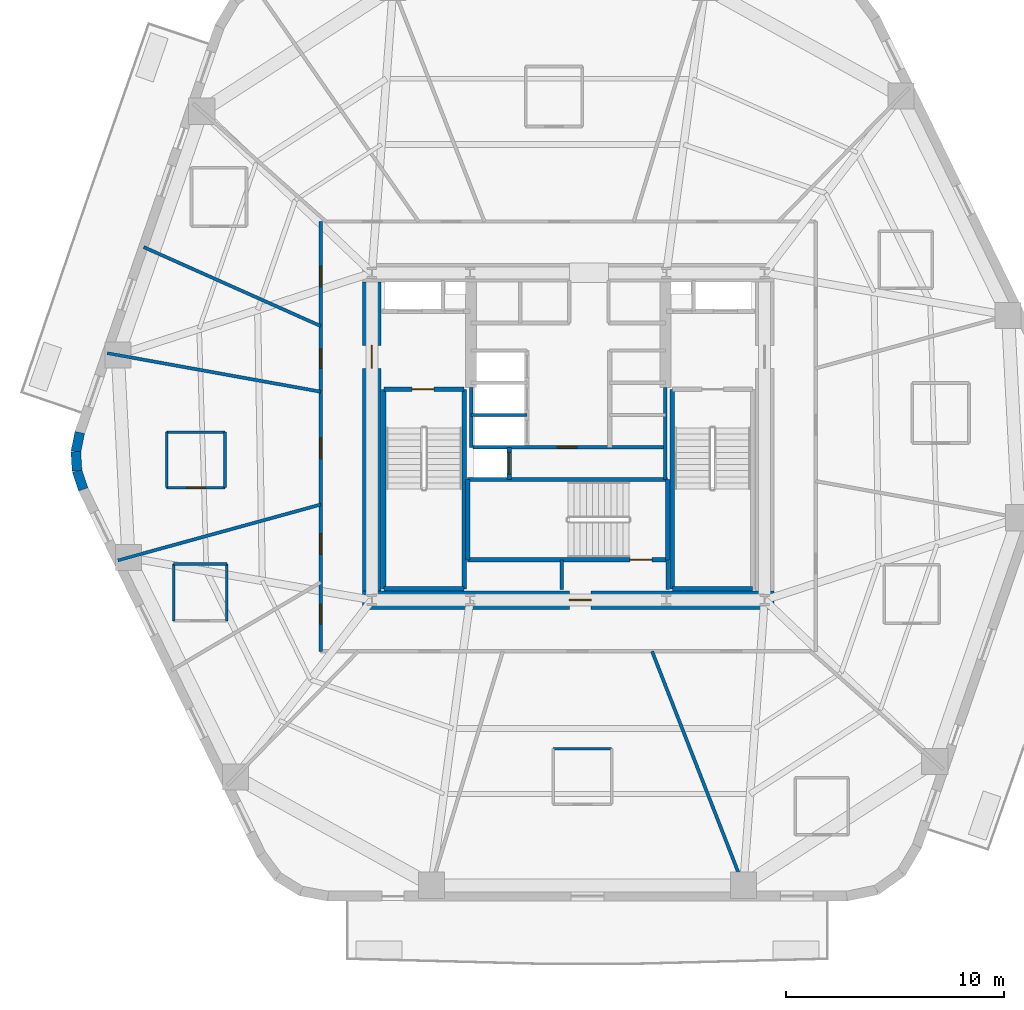
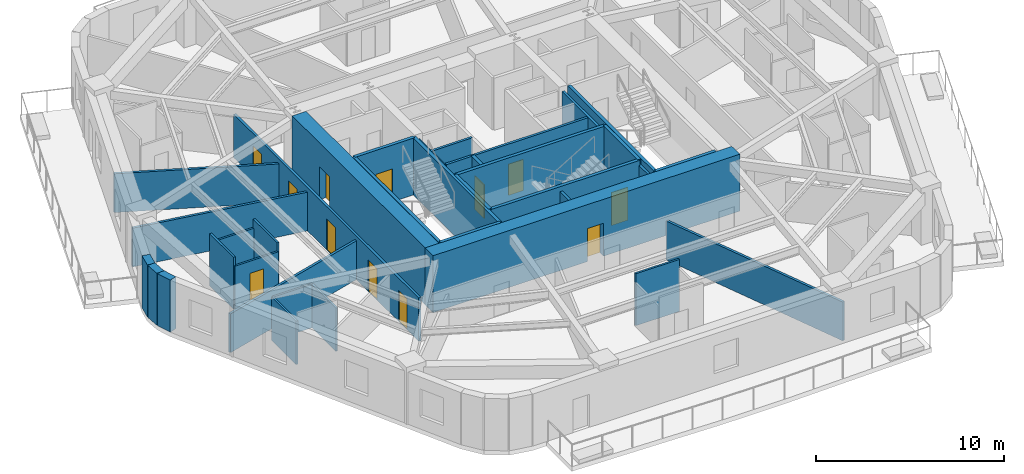
# One storey, part 3 of 8: 35 walls, 12 doors, 12 openings.
"""IFC4 building model written with IfcOpenShell, lengths in metres."""

from ifc_helpers import new_model, si_unit, direction, frame, frame_2d, origin, place, context, subcontext, project, spatial, rectangle, extrude, material, layer, layer_set, type_object, element, fill, save


model = new_model("IFC4")

# Units and contexts
model_context = context("Model", 3, precision=1e-05, world=origin(), true_north=direction((0.0, 1.0)))
body_context = subcontext(model_context, "Body", "Model", "MODEL_VIEW")
ifc_project = project(units=[si_unit("LENGTHUNIT", "METRE"), si_unit("AREAUNIT", "SQUARE_METRE"), si_unit("VOLUMEUNIT", "CUBIC_METRE"), si_unit("PLANEANGLEUNIT", "RADIAN"), si_unit("MASSUNIT", "GRAM", prefix="KILO")], contexts=[model_context])

# Site, building, storey
site_placement = place(None, origin())
site = spatial("IfcSite", under=ifc_project, at=site_placement, CompositionType="ELEMENT")
building_placement = place(site_placement, origin())
building = spatial("IfcBuilding", under=site, at=building_placement, Name="Kilnhurst Terrace Hotel", CompositionType="ELEMENT")
storey_placement = place(building_placement, frame((0.0, 0.0, 135.800048828125)))
storey = spatial("IfcBuildingStorey", under=building, at=storey_placement, Name="L33", CompositionType="ELEMENT", Elevation=135.800048828125)

# Walls
ifc_material_1 = material(Name="Precast concrete C40/50", Category="concrete")
ifc_layer_1 = layer(ifc_material_1, 0.449951171875, Name="Precast concrete C40/50")
ifc_layer_set_1 = layer_set([ifc_layer_1], Name="Precast concrete C40/50")
wall_type_1 = type_object("IfcWallType", Name="WL-BRK-450", PredefinedType="SOLIDWALL", material=ifc_layer_set_1)
wall_1_placement = place(storey_placement, frame((-22.39697265625, 0.17919921875, 0.0), z_axis=(0.0, 0.0, 1.0), x_axis=(-0.199313589404, -0.979935759669, 0.0)))
element("IfcWall", 1, at=wall_1_placement, inside=storey, type_object=wall_type_1, Name="L33 Rounded Corner Brick Wall C6.1", PredefinedType="SOLIDWALL", context=body_context, shape_type="SweptSolid", body=[
    extrude(rectangle(XDim=0.8955078125, YDim=0.449951171875, at=frame_2d((0.44775390625, 0.0))), origin(), (0.0, 0.0, 1.0), 3.3798828125),
])
wall_2_placement = place(storey_placement, frame((-22.575439453125, -0.6982421875, 0.0), z_axis=(0.0, 0.0, 1.0), x_axis=(0.060980441946, -0.998138961117, 0.0)))
element("IfcWall", 2, at=wall_2_placement, inside=storey, type_object=wall_type_1, Name="L33 Rounded Corner Brick Wall C6.2", PredefinedType="SOLIDWALL", context=body_context, shape_type="SweptSolid", body=[
    extrude(rectangle(XDim=0.880859375, YDim=0.449951171875, at=frame_2d((0.4404296875, 0.0))), origin(), (0.0, 0.0, 1.0), 3.3798828125),
])
wall_3_placement = place(storey_placement, frame((-22.521728515625, -1.577392578125, 0.0), z_axis=(0.0, 0.0, 1.0), x_axis=(0.317372694837, -0.948300887151, 0.0)))
element("IfcWall", 3, at=wall_3_placement, inside=storey, type_object=wall_type_1, Name="L33 Rounded Corner Brick Wall C6.3", PredefinedType="SOLIDWALL", context=body_context, shape_type="SweptSolid", body=[
    extrude(rectangle(XDim=0.8955078125, YDim=0.449951171875, at=frame_2d((0.44775390625, 0.0))), origin(), (0.0, 0.0, 1.0), 3.3798828125),
])

# Wall, openings, doors
ifc_material_2 = material(Name="Acoustic Double-Gypsum Corridor Partition Assembly")
ifc_layer_2 = layer(ifc_material_2, 0.14990234375, Name="Acoustic Double-Gypsum Corridor Partition Assembly")
ifc_layer_set_2 = layer_set([ifc_layer_2], Name="Acoustic Double-Gypsum Corridor Partition Assembly")
wall_type_2 = type_object("IfcWallType", Name="WL-COR-150", PredefinedType="PARTITIONING", material=ifc_layer_set_2)
wall_4_placement = place(storey_placement, frame((-11.35009765625, -9.85009765625, 0.0), z_axis=(0.0, 0.0, 1.0), x_axis=(0.0, 1.0, 0.0)))
wall_4 = element("IfcWall", 4, at=wall_4_placement, inside=storey, type_object=wall_type_2, Name="L33 Interior Wall WL-L33-COR-01", PredefinedType="PARTITIONING", context=body_context, shape_type="SweptSolid", body=[
    extrude(rectangle(XDim=19.7001953125, YDim=0.14990234375, at=frame_2d((9.85009765625, 0.0))), origin(), (0.0, 0.0, 1.0), 2.820068359375),
])
opening_1_placement = place(wall_4_placement, frame((16.7109375, 0.0, 0.0)))
opening_1 = element("IfcOpeningElement", 5, at=opening_1_placement, cuts=wall_4, Name="Opening D-60B", PredefinedType="OPENING", context=body_context, shape_type="SweptSolid", body=[
    extrude(rectangle(XDim=0.949951171875, YDim=2.030029296875, at=frame_2d((0.47509765625, 1.01513671875))), frame((0.0, 0.0849609375, 0.0), z_axis=(0.0, -1.0, 0.0), x_axis=(1.0, 0.0, 0.0)), (0.0, 0.0, 1.0), 0.169921875),
])
opening_2_placement = place(wall_4_placement, frame((12.968017578125, 0.0, 0.0)))
opening_2 = element("IfcOpeningElement", 6, at=opening_2_placement, cuts=wall_4, Name="Opening D-60C", PredefinedType="OPENING", context=body_context, shape_type="SweptSolid", body=[
    extrude(rectangle(XDim=0.89990234375, YDim=2.030029296875, at=frame_2d((0.449951171875, 1.01513671875))), frame((0.0, 0.0849609375, 0.0), z_axis=(0.0, -1.0, 0.0), x_axis=(1.0, 0.0, 0.0)), (0.0, 0.0, 1.0), 0.169921875),
])
opening_3_placement = place(wall_4_placement, frame((8.8359375, 0.0, 0.0)))
opening_3 = element("IfcOpeningElement", 7, at=opening_3_placement, cuts=wall_4, Name="Opening D-60B", PredefinedType="OPENING", context=body_context, shape_type="SweptSolid", body=[
    extrude(rectangle(XDim=0.949951171875, YDim=2.030029296875, at=frame_2d((0.47509765625, 1.01513671875))), frame((0.0, 0.0849609375, 0.0), z_axis=(0.0, -1.0, 0.0), x_axis=(1.0, 0.0, 0.0)), (0.0, 0.0, 1.0), 0.169921875),
])
opening_4_placement = place(wall_4_placement, frame((4.447998046875, 0.0, 0.0)))
opening_4 = element("IfcOpeningElement", 8, at=opening_4_placement, cuts=wall_4, Name="Opening D-60B", PredefinedType="OPENING", context=body_context, shape_type="SweptSolid", body=[
    extrude(rectangle(XDim=0.949951171875, YDim=2.030029296875, at=frame_2d((0.47509765625, 1.01513671875))), frame((0.0, 0.0849609375, 0.0), z_axis=(0.0, -1.0, 0.0), x_axis=(1.0, 0.0, 0.0)), (0.0, 0.0, 1.0), 0.169921875),
])
opening_5_placement = place(wall_4_placement, frame((1.2490234375, 0.0, 0.0)))
opening_5 = element("IfcOpeningElement", 9, at=opening_5_placement, cuts=wall_4, Name="Opening D-60C", PredefinedType="OPENING", context=body_context, shape_type="SweptSolid", body=[
    extrude(rectangle(XDim=0.89990234375, YDim=2.030029296875, at=frame_2d((0.449951171875, 1.01513671875))), frame((0.0, 0.0849609375, 0.0), z_axis=(0.0, -1.0, 0.0), x_axis=(1.0, 0.0, 0.0)), (0.0, 0.0, 1.0), 0.169921875),
])
ifc_material_3 = material(Name="Painted Solid-Core Service Fire Door")
door_type_1 = type_object("IfcDoorType", Name="DR-FD60-900", OperationType="NOTDEFINED", PredefinedType="DOOR", material=ifc_material_3)
door_1_placement = place(opening_2_placement, origin())
door_1 = element("IfcDoor", 10, at=door_1_placement, inside=storey, type_object=door_type_1, Name="L33 Botanical Reading Lounge Door 7", OperationType="SINGLE_SWING_LEFT", OverallHeight=2.030029296875, OverallWidth=0.89990234375, PredefinedType="DOOR", context=body_context, shape_type="SweptSolid", body=[
    extrude(rectangle(XDim=0.89990234375, YDim=2.030029296875, at=frame_2d((0.449951171875, 1.01513671875))), frame((0.0, 0.02490234375, 0.0), z_axis=(0.0, -1.0, 0.0), x_axis=(1.0, 0.0, 0.0)), (0.0, 0.0, 1.0), 0.050048828125),
])
fill(opening_2, door_1)
door_2_placement = place(opening_5_placement, origin())
door_2 = element("IfcDoor", 11, at=door_2_placement, inside=storey, type_object=door_type_1, Name="L33 Private Meeting Salon Door 10", OperationType="SINGLE_SWING_RIGHT", OverallHeight=2.030029296875, OverallWidth=0.89990234375, PredefinedType="DOOR", context=body_context, shape_type="SweptSolid", body=[
    extrude(rectangle(XDim=0.89990234375, YDim=2.030029296875, at=frame_2d((0.449951171875, 1.01513671875))), frame((0.0, 0.02490234375, 0.0), z_axis=(0.0, -1.0, 0.0), x_axis=(1.0, 0.0, 0.0)), (0.0, 0.0, 1.0), 0.050048828125),
])
fill(opening_5, door_2)
ifc_material_4 = material(Name="Acoustic Walnut Veneer Solid-Core Fire Door")
door_type_2 = type_object("IfcDoorType", Name="DR-FD60-950", OperationType="NOTDEFINED", PredefinedType="DOOR", material=ifc_material_4)
door_3_placement = place(opening_1_placement, origin())
door_3 = element("IfcDoor", 12, at=door_3_placement, inside=storey, type_object=door_type_2, Name="L33 Guest Room Entry Door 6", OperationType="SINGLE_SWING_RIGHT", OverallHeight=2.030029296875, OverallWidth=0.949951171875, PredefinedType="DOOR", context=body_context, shape_type="SweptSolid", body=[
    extrude(rectangle(XDim=0.949951171875, YDim=2.030029296875, at=frame_2d((0.47509765625, 1.01513671875))), frame((0.0, 0.02490234375, 0.0), z_axis=(0.0, -1.0, 0.0), x_axis=(1.0, 0.0, 0.0)), (0.0, 0.0, 1.0), 0.050048828125),
])
fill(opening_1, door_3)
door_4_placement = place(opening_3_placement, origin())
door_4 = element("IfcDoor", 13, at=door_4_placement, inside=storey, type_object=door_type_2, Name="L33 Executive Suite Entry Door 8", OperationType="SINGLE_SWING_RIGHT", OverallHeight=2.030029296875, OverallWidth=0.949951171875, PredefinedType="DOOR", context=body_context, shape_type="SweptSolid", body=[
    extrude(rectangle(XDim=0.949951171875, YDim=2.030029296875, at=frame_2d((0.47509765625, 1.01513671875))), frame((0.0, 0.02490234375, 0.0), z_axis=(0.0, -1.0, 0.0), x_axis=(1.0, 0.0, 0.0)), (0.0, 0.0, 1.0), 0.050048828125),
])
fill(opening_3, door_4)
door_5_placement = place(opening_4_placement, origin())
door_5 = element("IfcDoor", 14, at=door_5_placement, inside=storey, type_object=door_type_2, Name="L33 Guest Room Entry Door 9", OperationType="SINGLE_SWING_LEFT", OverallHeight=2.030029296875, OverallWidth=0.949951171875, PredefinedType="DOOR", context=body_context, shape_type="SweptSolid", body=[
    extrude(rectangle(XDim=0.949951171875, YDim=2.030029296875, at=frame_2d((0.47509765625, 1.01513671875))), frame((0.0, 0.02490234375, 0.0), z_axis=(0.0, -1.0, 0.0), x_axis=(1.0, 0.0, 0.0)), (0.0, 0.0, 1.0), 0.050048828125),
])
fill(opening_4, door_5)

# Wall, opening, door
ifc_material_5 = material(Name="Concrete C80/95", Category="concrete")
ifc_layer_3 = layer(ifc_material_5, 0.85009765625, Name="Concrete C80/95")
ifc_layer_set_3 = layer_set([ifc_layer_3], Name="Concrete C80/95")
wall_type_3 = type_object("IfcWallType", Name="WL-CORE-850", PredefinedType="SHEAR", material=ifc_layer_set_3)
wall_5_placement = place(storey_placement, frame((-9.425048828125, -7.5, 0.0), z_axis=(0.0, 0.0, 1.0), x_axis=(1.0, 0.0, 0.0)))
wall_5 = element("IfcWall", 15, at=wall_5_placement, inside=storey, type_object=wall_type_3, Name="L33 Core South Shear Wall", PredefinedType="SHEAR", context=body_context, shape_type="SweptSolid", body=[
    extrude(rectangle(XDim=18.85009765625, YDim=0.85009765625, at=frame_2d((9.425048828125, 0.0))), origin(), (0.0, 0.0, 1.0), 3.699951171875),
])
opening_6_placement = place(wall_5_placement, frame((9.47509765625, 0.0, 0.0)))
opening_6 = element("IfcOpeningElement", 16, at=opening_6_placement, cuts=wall_5, Name="Opening D-90B", PredefinedType="OPENING", context=body_context, shape_type="SweptSolid", body=[
    extrude(rectangle(XDim=1.0, YDim=2.14990234375, at=frame_2d((0.5, 1.074951171875))), frame((0.0, 0.43505859375, 0.0), z_axis=(0.0, -1.0, 0.0), x_axis=(1.0, 0.0, 0.0)), (0.0, 0.0, 1.0), 0.8701171875),
])
ifc_material_6 = material(Name="Painted Hollow Metal Steel ASTM A36 Fire Door", Category="steel")
door_type_3 = type_object("IfcDoorType", Name="DR-FD90-1000", OperationType="NOTDEFINED", PredefinedType="DOOR", material=ifc_material_6)
door_6_placement = place(opening_6_placement, origin())
door_6 = element("IfcDoor", 17, at=door_6_placement, inside=storey, type_object=door_type_3, Name="L33 Stair ST-3 Corridor Door", OperationType="SINGLE_SWING_RIGHT", OverallHeight=2.14990234375, OverallWidth=1.0, PredefinedType="DOOR", context=body_context, shape_type="SweptSolid", body=[
    extrude(rectangle(XDim=1.0, YDim=2.14990234375, at=frame_2d((0.5, 1.074951171875))), frame((0.0, 0.02490234375, 0.0), z_axis=(0.0, -1.0, 0.0), x_axis=(1.0, 0.0, 0.0)), (0.0, 0.0, 1.0), 0.050048828125),
])
fill(opening_6, door_6)

wall_6_placement = place(storey_placement, frame((-9.0, -7.074951171875, 0.0), z_axis=(0.0, 0.0, 1.0), x_axis=(0.0, 1.0, 0.0)))
wall_6 = element("IfcWall", 18, at=wall_6_placement, inside=storey, type_object=wall_type_3, Name="L33 Core West Shear Wall", PredefinedType="SHEAR", context=body_context, shape_type="SweptSolid", body=[
    extrude(rectangle(XDim=14.14990234375, YDim=0.85009765625, at=frame_2d((7.074951171875, 0.0))), origin(), (0.0, 0.0, 1.0), 3.699951171875),
])
opening_7_placement = place(wall_6_placement, frame((10.199951171875, 0.0, 0.0)))
opening_7 = element("IfcOpeningElement", 19, at=opening_7_placement, cuts=wall_6, Name="Opening D-90A", PredefinedType="OPENING", context=body_context, shape_type="SweptSolid", body=[
    extrude(rectangle(XDim=1.050048828125, YDim=2.14990234375, at=frame_2d((0.52490234375, 1.074951171875))), frame((0.0, 0.43505859375, 0.0), z_axis=(0.0, -1.0, 0.0), x_axis=(1.0, 0.0, 0.0)), (0.0, 0.0, 1.0), 0.8701171875),
])
door_type_4 = type_object("IfcDoorType", Name="DR-FD90-1050", OperationType="NOTDEFINED", PredefinedType="DOOR", material=ifc_material_6)
door_7_placement = place(opening_7_placement, origin())
door_7 = element("IfcDoor", 20, at=door_7_placement, inside=storey, type_object=door_type_4, Name="L33 West Firefighting Lobby Door", OperationType="SINGLE_SWING_RIGHT", OverallHeight=2.14990234375, OverallWidth=1.050048828125, PredefinedType="DOOR", context=body_context, shape_type="SweptSolid", body=[
    extrude(rectangle(XDim=1.050048828125, YDim=2.14990234375, at=frame_2d((0.52490234375, 1.074951171875))), frame((0.0, 0.02490234375, 0.0), z_axis=(0.0, -1.0, 0.0), x_axis=(1.0, 0.0, 0.0)), (0.0, 0.0, 1.0), 0.050048828125),
])
fill(opening_7, door_7)

# Walls
ifc_material_7 = material(Name="STC-58 Acoustic Twin-Frame Guestroom Demising Partition")
ifc_layer_4 = layer(ifc_material_7, 0.14990234375, Name="STC-58 Acoustic Twin-Frame Guestroom Demising Partition")
ifc_layer_set_4 = layer_set([ifc_layer_4], Name="STC-58 Acoustic Twin-Frame Guestroom Demising Partition")
wall_type_4 = type_object("IfcWallType", Name="WL-DEM-150", PredefinedType="PARTITIONING", material=ifc_layer_set_4)
wall_7_placement = place(storey_placement, frame((-11.35009765625, 5.061767578125, 0.0), z_axis=(0.0, 0.0, 1.0), x_axis=(-0.91329663997, 0.407295037312, 0.0)))
element("IfcWall", 21, at=wall_7_placement, inside=storey, type_object=wall_type_4, Name="L33 Interior Wall WL-L33-DEM-MID05-07-1", PredefinedType="PARTITIONING", context=body_context, shape_type="SweptSolid", body=[
    extrude(rectangle(XDim=8.889404296875, YDim=0.14990234375, at=frame_2d((4.44482421875, 0.0))), origin(), (0.0, 0.0, 1.0), 2.52001953125),
])
wall_8_placement = place(storey_placement, frame((-11.35009765625, 2.05078125, 0.0), z_axis=(0.0, 0.0, 1.0), x_axis=(-0.984068313063, 0.177790762484, 0.0)))
element("IfcWall", 22, at=wall_8_placement, inside=storey, type_object=wall_type_4, Name="L33 Interior Wall WL-L33-DEM-COL06-08-1", PredefinedType="PARTITIONING", context=body_context, shape_type="SweptSolid", body=[
    extrude(rectangle(XDim=9.951416015625, YDim=0.14990234375, at=frame_2d((4.9755859375, 0.0))), origin(), (0.0, 0.0, 1.0), 2.52001953125),
])
wall_9_placement = place(storey_placement, frame((-11.35009765625, -3.123291015625, 0.0), z_axis=(0.0, 0.0, 1.0), x_axis=(-0.964151983214, -0.265350623261, 0.0)))
element("IfcWall", 23, at=wall_9_placement, inside=storey, type_object=wall_type_4, Name="L33 Interior Wall WL-L33-DEM-COL07-09-1", PredefinedType="PARTITIONING", context=body_context, shape_type="SweptSolid", body=[
    extrude(rectangle(XDim=9.64501953125, YDim=0.14990234375, at=frame_2d((4.822509765625, 0.0))), origin(), (0.0, 0.0, 1.0), 2.52001953125),
])
wall_10_placement = place(storey_placement, frame((3.84228515625, -9.85009765625, 0.0), z_axis=(0.0, 0.0, 1.0), x_axis=(0.363432685593, -0.931620460833, 0.0)))
element("IfcWall", 24, at=wall_10_placement, inside=storey, type_object=wall_type_4, Name="L33 Interior Wall WL-L33-DEM-COL10-13-1", PredefinedType="PARTITIONING", context=body_context, shape_type="SweptSolid", body=[
    extrude(rectangle(XDim=12.048828125, YDim=0.14990234375, at=frame_2d((6.0244140625, 0.0))), origin(), (0.0, 0.0, 1.0), 2.52001953125),
])

# Wall, opening, door
ifc_material_8 = material(Name="120 mm Moisture-Resistant Tile-Backed Bathroom Partition")
ifc_layer_5 = layer(ifc_material_8, 0.1201171875, Name="120 mm Moisture-Resistant Tile-Backed Bathroom Partition")
ifc_layer_set_5 = layer_set([ifc_layer_5], Name="120 mm Moisture-Resistant Tile-Backed Bathroom Partition")
wall_type_5 = type_object("IfcWallType", Name="WL-PART-120", PredefinedType="PARTITIONING", material=ifc_layer_set_5)
wall_11_placement = place(storey_placement, frame((-18.4150390625, -2.343994140625, 0.0), z_axis=(0.0, 0.0, 1.0), x_axis=(1.0, 0.0, 0.0)))
wall_11 = element("IfcWall", 25, at=wall_11_placement, inside=storey, type_object=wall_type_5, Name="L33 Interior Wall WL-L33-BTH-08-1", PredefinedType="PARTITIONING", context=body_context, shape_type="SweptSolid", body=[
    extrude(rectangle(XDim=2.679931640625, YDim=0.1201171875, at=frame_2d((1.33984375, 0.0))), origin(), (0.0, 0.0, 1.0), 2.820556640625),
])
opening_8_placement = place(wall_11_placement, frame((0.9150390625, 0.0, 0.0)))
opening_8 = element("IfcOpeningElement", 26, at=opening_8_placement, cuts=wall_11, Name="Opening D-08A", PredefinedType="OPENING", context=body_context, shape_type="SweptSolid", body=[
    extrude(rectangle(XDim=0.85009765625, YDim=2.030029296875, at=frame_2d((0.425048828125, 1.01513671875))), frame((0.0, 0.070068359375, 0.0), z_axis=(0.0, -1.0, 0.0), x_axis=(1.0, 0.0, 0.0)), (0.0, 0.0, 1.0), 0.14013671875),
])
ifc_material_9 = material(Name="Moisture-Resistant Lacquered En-suite Bathroom Door")
door_type_5 = type_object("IfcDoorType", Name="DR-INT-850", OperationType="NOTDEFINED", PredefinedType="DOOR", material=ifc_material_9)
door_8_placement = place(opening_8_placement, origin())
door_8 = element("IfcDoor", 27, at=door_8_placement, inside=storey, type_object=door_type_5, Name="L33 En-suite Bathroom Door 8", OperationType="SINGLE_SWING_LEFT", OverallHeight=2.030029296875, OverallWidth=0.85009765625, PredefinedType="DOOR", context=body_context, shape_type="SweptSolid", body=[
    extrude(rectangle(XDim=0.85009765625, YDim=2.030029296875, at=frame_2d((0.425048828125, 1.01513671875))), frame((0.0, 0.02490234375, 0.0), z_axis=(0.0, -1.0, 0.0), x_axis=(1.0, 0.0, 0.0)), (0.0, 0.0, 1.0), 0.050048828125),
])
fill(opening_8, door_8)

# Walls
wall_12_placement = place(storey_placement, frame((-15.735107421875, -2.343994140625, 0.0), z_axis=(0.0, 0.0, 1.0), x_axis=(0.0, 1.0, 0.0)))
element("IfcWall", 28, at=wall_12_placement, inside=storey, type_object=wall_type_5, Name="L33 Interior Wall WL-L33-BTH-08-2", PredefinedType="PARTITIONING", context=body_context, shape_type="SweptSolid", body=[
    extrude(rectangle(XDim=2.5400390625, YDim=0.1201171875, at=frame_2d((1.27001953125, 0.0))), origin(), (0.0, 0.0, 1.0), 3.3798828125),
])
wall_13_placement = place(storey_placement, frame((-15.735107421875, 0.196044921875, 0.0), z_axis=(0.0, 0.0, 1.0), x_axis=(-1.0, 0.0, 0.0)))
element("IfcWall", 29, at=wall_13_placement, inside=storey, type_object=wall_type_5, Name="L33 Interior Wall WL-L33-BTH-08-3", PredefinedType="PARTITIONING", context=body_context, shape_type="SweptSolid", body=[
    extrude(rectangle(XDim=2.679931640625, YDim=0.1201171875, at=frame_2d((1.33984375, 0.0))), origin(), (0.0, 0.0, 1.0), 2.820556640625),
])
wall_14_placement = place(storey_placement, frame((-18.4150390625, 0.196044921875, 0.0), z_axis=(0.0, 0.0, 1.0), x_axis=(0.0, -1.0, 0.0)))
element("IfcWall", 30, at=wall_14_placement, inside=storey, type_object=wall_type_5, Name="L33 Interior Wall WL-L33-BTH-08-4", PredefinedType="PARTITIONING", context=body_context, shape_type="SweptSolid", body=[
    extrude(rectangle(XDim=2.5400390625, YDim=0.1201171875, at=frame_2d((1.27001953125, 0.0))), origin(), (0.0, 0.0, 1.0), 3.3798828125),
])
wall_15_placement = place(storey_placement, frame((-15.654052734375, -8.4560546875, 0.0), z_axis=(0.0, 0.0, 1.0), x_axis=(0.0, 1.0, 0.0)))
element("IfcWall", 31, at=wall_15_placement, inside=storey, type_object=wall_type_5, Name="L33 Interior Wall WL-L33-BTH-09-2", PredefinedType="PARTITIONING", context=body_context, shape_type="SweptSolid", body=[
    extrude(rectangle(XDim=2.610107421875, YDim=0.1201171875, at=frame_2d((1.30517578125, 0.0))), origin(), (0.0, 0.0, 1.0), 2.820068359375),
])
wall_16_placement = place(storey_placement, frame((-15.654052734375, -5.845947265625, 0.0), z_axis=(0.0, 0.0, 1.0), x_axis=(-1.0, 0.0, 0.0)))
element("IfcWall", 32, at=wall_16_placement, inside=storey, type_object=wall_type_5, Name="L33 Interior Wall WL-L33-BTH-09-3", PredefinedType="PARTITIONING", context=body_context, shape_type="SweptSolid", body=[
    extrude(rectangle(XDim=2.43994140625, YDim=0.1201171875, at=frame_2d((1.219970703125, 0.0))), origin(), (0.0, 0.0, 1.0), 2.820068359375),
])
wall_17_placement = place(storey_placement, frame((-18.093994140625, -5.845947265625, 0.0), z_axis=(0.0, 0.0, 1.0), x_axis=(0.0, -1.0, 0.0)))
element("IfcWall", 33, at=wall_17_placement, inside=storey, type_object=wall_type_5, Name="L33 Interior Wall WL-L33-BTH-09-4", PredefinedType="PARTITIONING", context=body_context, shape_type="SweptSolid", body=[
    extrude(rectangle(XDim=2.610107421875, YDim=0.1201171875, at=frame_2d((1.30517578125, 0.0))), origin(), (0.0, 0.0, 1.0), 2.820068359375),
])
wall_18_placement = place(storey_placement, frame((1.991943359375, -14.31689453125, 0.0), z_axis=(0.0, 0.0, 1.0), x_axis=(-1.0, 0.0, 0.0)))
element("IfcWall", 34, at=wall_18_placement, inside=storey, type_object=wall_type_5, Name="L33 Interior Wall WL-L33-BTH-12-3", PredefinedType="PARTITIONING", context=body_context, shape_type="SweptSolid", body=[
    extrude(rectangle(XDim=2.679931640625, YDim=0.1201171875, at=frame_2d((1.33984375, 0.0))), origin(), (0.0, 0.0, 1.0), 3.3798828125),
])
ifc_material_10 = material(Name="Fire-Rated Gypsum Shaftliner Assembly")
ifc_layer_6 = layer(ifc_material_10, 0.14990234375, Name="Fire-Rated Gypsum Shaftliner Assembly")
ifc_layer_set_6 = layer_set([ifc_layer_6], Name="Fire-Rated Gypsum Shaftliner Assembly")
wall_type_6 = type_object("IfcWallType", Name="WL-SHAFT-150", PredefinedType="PARTITIONING", material=ifc_layer_set_6)
for number, where, z_axis, x_axis, name in (
    (35, (-0.300048828125, -7.02001953125, 0.0), (0.0, 0.0, 1.0), (0.0, 1.0, 0.0), "L33 Interior Wall WL-L33-ST3-PSGW"),
    (36, (4.55810546875, -7.02001953125, 0.0), (0.0, 0.0, 1.0), (0.0, 1.0, 0.0), "L33 Interior Wall WL-L33-ST3-PSGE"),
):
    element("IfcWall", number, at=place(storey_placement, frame(where, z_axis=z_axis, x_axis=x_axis)), inside=storey, type_object=wall_type_6, Name=name, PredefinedType="PARTITIONING", context=body_context, shape_type="SweptSolid", body=[
        extrude(rectangle(XDim=1.362060546875, YDim=0.14990234375, at=frame_2d((0.68115234375, 0.0))), origin(), (0.0, 0.0, 1.0), 3.3798828125),
    ])
wall_19_placement = place(storey_placement, frame((-4.449951171875, -0.5, 0.0), z_axis=(0.0, 0.0, 1.0), x_axis=(0.0, 1.0, 0.0)))
element("IfcWall", 37, at=wall_19_placement, inside=storey, type_object=wall_type_6, Name="L33 Interior Wall WL-L33-XLOB-W", PredefinedType="PARTITIONING", context=body_context, shape_type="SweptSolid", body=[
    extrude(rectangle(XDim=2.75, YDim=0.14990234375, at=frame_2d((1.375, 0.0))), origin(), (0.0, 0.0, 1.0), 3.3798828125),
])
wall_20_placement = place(storey_placement, frame((4.449951171875, -1.971923828125, 0.0), z_axis=(0.0, 0.0, 1.0), x_axis=(0.0, 1.0, 0.0)))
element("IfcWall", 38, at=wall_20_placement, inside=storey, type_object=wall_type_6, Name="L33 Interior Wall WL-L33-XLOB-E", PredefinedType="PARTITIONING", context=body_context, shape_type="SweptSolid", body=[
    extrude(rectangle(XDim=4.221923828125, YDim=0.14990234375, at=frame_2d((2.11083984375, 0.0))), origin(), (0.0, 0.0, 1.0), 3.3798828125),
])
wall_21_placement = place(storey_placement, frame((-4.449951171875, 0.97998046875, 0.0), z_axis=(0.0, 0.0, 1.0), x_axis=(1.0, 0.0, 0.0)))
element("IfcWall", 39, at=wall_21_placement, inside=storey, type_object=wall_type_6, Name="L33 Interior Wall WL-L33-LR-D1", PredefinedType="PARTITIONING", context=body_context, shape_type="SweptSolid", body=[
    extrude(rectangle(XDim=2.550048828125, YDim=0.14990234375, at=frame_2d((1.27490234375, 0.0))), origin(), (0.0, 0.0, 1.0), 3.3798828125),
])

# Wall, opening, door
wall_22_placement = place(storey_placement, frame((-4.360107421875, -0.489990234375, 0.0), z_axis=(0.0, 0.0, 1.0), x_axis=(1.0, 0.0, 0.0)))
wall_22 = element("IfcWall", 40, at=wall_22_placement, inside=storey, type_object=wall_type_6, Name="L33 Interior Wall WL-L33-BOH-N", PredefinedType="PARTITIONING", context=body_context, shape_type="SweptSolid", body=[
    extrude(rectangle(XDim=8.72021484375, YDim=0.14990234375, at=frame_2d((4.360107421875, 0.0))), origin(), (0.0, 0.0, 1.0), 3.3798828125),
])
opening_9_placement = place(wall_22_placement, frame((3.860107421875, 0.0, 0.0)))
opening_9 = element("IfcOpeningElement", 41, at=opening_9_placement, cuts=wall_22, Name="Opening D-60C", PredefinedType="OPENING", context=body_context, shape_type="SweptSolid", body=[
    extrude(rectangle(XDim=0.89990234375, YDim=2.030029296875, at=frame_2d((0.449951171875, 1.01513671875))), frame((0.0, 0.0849609375, 0.0), z_axis=(0.0, -1.0, 0.0), x_axis=(1.0, 0.0, 0.0)), (0.0, 0.0, 1.0), 0.169921875),
])
door_9_placement = place(opening_9_placement, origin())
door_9 = element("IfcDoor", 42, at=door_9_placement, inside=storey, type_object=door_type_1, Name="L33 Housekeeping Laundry Door", OperationType="SINGLE_SWING_LEFT", OverallHeight=2.030029296875, OverallWidth=0.89990234375, PredefinedType="DOOR", context=body_context, shape_type="SweptSolid", body=[
    extrude(rectangle(XDim=0.89990234375, YDim=2.030029296875, at=frame_2d((0.449951171875, 1.01513671875))), frame((0.0, 0.02490234375, 0.0), z_axis=(0.0, -1.0, 0.0), x_axis=(1.0, 0.0, 0.0)), (0.0, 0.0, 1.0), 0.050048828125),
])
fill(opening_9, door_9)

ifc_material_11 = material(Name="Autoclaved Aerated Concrete C30/37 and Gypsum Shaft Assembly", Category="concrete")
ifc_layer_7 = layer(ifc_material_11, 0.199951171875, Name="Autoclaved Aerated Concrete C30/37 and Gypsum Shaft Assembly")
ifc_layer_set_7 = layer_set([ifc_layer_7], Name="Autoclaved Aerated Concrete C30/37 and Gypsum Shaft Assembly")
wall_type_7 = type_object("IfcWallType", Name="WL-SHAFT-200", PredefinedType="PARTITIONING", material=ifc_layer_set_7)
wall_23_placement = place(storey_placement, frame((-2.699951171875, -1.971923828125, 0.0), z_axis=(0.0, 0.0, 1.0), x_axis=(0.0, 1.0, 0.0)))
wall_23 = element("IfcWall", 43, at=wall_23_placement, inside=storey, type_object=wall_type_7, Name="L33 Interior Wall WL-L33-SRV1-E", PredefinedType="PARTITIONING", context=body_context, shape_type="SweptSolid", body=[
    extrude(rectangle(XDim=1.471923828125, YDim=0.199951171875, at=frame_2d((0.73583984375, 0.0))), origin(), (0.0, 0.0, 1.0), 3.3798828125),
])
opening_10_placement = place(wall_23_placement, frame((0.239990234375, 0.0, 0.0)))
opening_10 = element("IfcOpeningElement", 44, at=opening_10_placement, cuts=wall_23, Name="Opening LD-SV", PredefinedType="OPENING", context=body_context, shape_type="SweptSolid", body=[
    extrude(rectangle(XDim=1.0, YDim=2.199951171875, at=frame_2d((0.5, 1.10009765625))), frame((0.0, 0.10986328125, 0.0), z_axis=(0.0, -1.0, 0.0), x_axis=(1.0, 0.0, 0.0)), (0.0, 0.0, 1.0), 0.219970703125),
])
ifc_material_12 = material(Name="Bronze-Anodized Stainless Steel AISI 316L Sliding Door", Category="steel")
door_type_6 = type_object("IfcDoorType", Name="DR-LIFT-1000", OperationType="NOTDEFINED", PredefinedType="DOOR", material=ifc_material_12)
door_10_placement = place(opening_10_placement, origin())
door_10 = element("IfcDoor", 45, at=door_10_placement, inside=storey, type_object=door_type_6, Name="L33 Service Lift SRV-1 Landing Door", OperationType="SLIDING_TO_LEFT", OverallHeight=2.199951171875, OverallWidth=1.0, PredefinedType="DOOR", context=body_context, shape_type="SweptSolid", body=[
    extrude(rectangle(XDim=1.0, YDim=2.199951171875, at=frame_2d((0.5, 1.10009765625))), frame((0.0, 0.02490234375, 0.0), z_axis=(0.0, -1.0, 0.0), x_axis=(1.0, 0.0, 0.0)), (0.0, 0.0, 1.0), 0.050048828125),
])
fill(opening_10, door_10)

# Walls
ifc_material_13 = material(Name="Concrete C50/60", Category="concrete")
ifc_layer_8 = layer(ifc_material_13, 0.199951171875, Name="Concrete C50/60")
ifc_layer_set_8 = layer_set([ifc_layer_8], Name="Concrete C50/60")
wall_type_8 = type_object("IfcWallType", Name="WL-STAIR-RC-200", PredefinedType="SHEAR", material=ifc_layer_set_8)
for number, where, z_axis, x_axis, name in (
    (46, (-8.4580078125, -6.985107421875, 0.0), (0.0, 0.0, 1.0), (0.0, 1.0, 0.0), "L33 Structural Stair Shaft Wall WL-L33-ST1-W"),
    (47, (-4.77197265625, -6.985107421875, 0.0), (0.0, 0.0, 1.0), (0.0, 1.0, 0.0), "L33 Structural Stair Shaft Wall WL-L33-ST1-E"),
):
    element("IfcWall", number, at=place(storey_placement, frame(where, z_axis=z_axis, x_axis=x_axis)), inside=storey, type_object=wall_type_8, Name=name, PredefinedType="SHEAR", context=body_context, shape_type="SweptSolid", body=[
        extrude(rectangle(XDim=9.14306640625, YDim=0.199951171875, at=frame_2d((4.571533203125, 0.0))), origin(), (0.0, 0.0, 1.0), 3.699951171875),
    ])
wall_24_placement = place(storey_placement, frame((-8.4580078125, -6.985107421875, 0.0), z_axis=(0.0, 0.0, 1.0), x_axis=(1.0, 0.0, 0.0)))
element("IfcWall", 48, at=wall_24_placement, inside=storey, type_object=wall_type_8, Name="L33 Structural Stair Shaft Wall WL-L33-ST1-S", PredefinedType="SHEAR", context=body_context, shape_type="SweptSolid", body=[
    extrude(rectangle(XDim=3.68603515625, YDim=0.199951171875, at=frame_2d((1.843017578125, 0.0))), origin(), (0.0, 0.0, 1.0), 3.699951171875),
])

# Wall, opening, door
wall_25_placement = place(storey_placement, frame((-8.4580078125, 2.157958984375, 0.0), z_axis=(0.0, 0.0, 1.0), x_axis=(1.0, 0.0, 0.0)))
wall_25 = element("IfcWall", 49, at=wall_25_placement, inside=storey, type_object=wall_type_8, Name="L33 Structural Stair Shaft Wall WL-L33-ST1-N", PredefinedType="SHEAR", context=body_context, shape_type="SweptSolid", body=[
    extrude(rectangle(XDim=3.68603515625, YDim=0.199951171875, at=frame_2d((1.843017578125, 0.0))), origin(), (0.0, 0.0, 1.0), 3.699951171875),
])
opening_11_placement = place(wall_25_placement, frame((1.300048828125, 0.0, 0.0)))
opening_11 = element("IfcOpeningElement", 50, at=opening_11_placement, cuts=wall_25, Name="Opening D-90B", PredefinedType="OPENING", context=body_context, shape_type="SweptSolid", body=[
    extrude(rectangle(XDim=1.0, YDim=2.14990234375, at=frame_2d((0.5, 1.074951171875))), frame((0.0, 0.10986328125, 0.0), z_axis=(0.0, -1.0, 0.0), x_axis=(1.0, 0.0, 0.0)), (0.0, 0.0, 1.0), 0.219970703125),
])
door_11_placement = place(opening_11_placement, origin())
door_11 = element("IfcDoor", 51, at=door_11_placement, inside=storey, type_object=door_type_3, Name="L33 Stair ST-1 Door", OperationType="SINGLE_SWING_LEFT", OverallHeight=2.14990234375, OverallWidth=1.0, PredefinedType="DOOR", context=body_context, shape_type="SweptSolid", body=[
    extrude(rectangle(XDim=1.0, YDim=2.14990234375, at=frame_2d((0.5, 1.074951171875))), frame((0.0, 0.02490234375, 0.0), z_axis=(0.0, -1.0, 0.0), x_axis=(1.0, 0.0, 0.0)), (0.0, 0.0, 1.0), 0.050048828125),
])
fill(opening_11, door_11)

# Walls
wall_26_placement = place(storey_placement, frame((4.77197265625, -6.985107421875, 0.0), z_axis=(0.0, 0.0, 1.0), x_axis=(0.0, 1.0, 0.0)))
element("IfcWall", 52, at=wall_26_placement, inside=storey, type_object=wall_type_8, Name="L33 Structural Stair Shaft Wall WL-L33-ST2-W", PredefinedType="SHEAR", context=body_context, shape_type="SweptSolid", body=[
    extrude(rectangle(XDim=9.14306640625, YDim=0.199951171875, at=frame_2d((4.571533203125, 0.0))), origin(), (0.0, 0.0, 1.0), 3.699951171875),
])
for number, where, z_axis, x_axis, name in (
    (53, (4.77197265625, -6.985107421875, 0.0), (0.0, 0.0, 1.0), (1.0, 0.0, 0.0), "L33 Structural Stair Shaft Wall WL-L33-ST2-S"),
    (54, (-4.60791015625, -5.657958984375, 0.0), (0.0, 0.0, 1.0), (0.0, 1.0, 0.0), "L33 Structural Stair Shaft Wall WL-L33-ST3-W"),
):
    element("IfcWall", number, at=place(storey_placement, frame(where, z_axis=z_axis, x_axis=x_axis)), inside=storey, type_object=wall_type_8, Name=name, PredefinedType="SHEAR", context=body_context, shape_type="SweptSolid", body=[
        extrude(rectangle(XDim=3.68603515625, YDim=0.199951171875, at=frame_2d((1.843017578125, 0.0))), origin(), (0.0, 0.0, 1.0), 3.699951171875),
    ])

# Wall, opening, door
wall_27_placement = place(storey_placement, frame((-4.60791015625, -5.657958984375, 0.0), z_axis=(0.0, 0.0, 1.0), x_axis=(1.0, 0.0, 0.0)))
wall_27 = element("IfcWall", 55, at=wall_27_placement, inside=storey, type_object=wall_type_8, Name="L33 Structural Stair Shaft Wall WL-L33-ST3-S", PredefinedType="SHEAR", context=body_context, shape_type="SweptSolid", body=[
    extrude(rectangle(XDim=9.166015625, YDim=0.199951171875, at=frame_2d((4.5830078125, 0.0))), origin(), (0.0, 0.0, 1.0), 3.699951171875),
])
opening_12_placement = place(wall_27_placement, frame((7.449951171875, 0.0, 0.0)))
opening_12 = element("IfcOpeningElement", 56, at=opening_12_placement, cuts=wall_27, Name="Opening D-90B", PredefinedType="OPENING", context=body_context, shape_type="SweptSolid", body=[
    extrude(rectangle(XDim=1.0, YDim=2.14990234375, at=frame_2d((0.5, 1.074951171875))), frame((0.0, 0.10986328125, 0.0), z_axis=(0.0, -1.0, 0.0), x_axis=(1.0, 0.0, 0.0)), (0.0, 0.0, 1.0), 0.219970703125),
])
door_12_placement = place(opening_12_placement, origin())
door_12 = element("IfcDoor", 57, at=door_12_placement, inside=storey, type_object=door_type_3, Name="L33 Stair ST-3 Shaft Door", OperationType="SINGLE_SWING_LEFT", OverallHeight=2.14990234375, OverallWidth=1.0, PredefinedType="DOOR", context=body_context, shape_type="SweptSolid", body=[
    extrude(rectangle(XDim=1.0, YDim=2.14990234375, at=frame_2d((0.5, 1.074951171875))), frame((0.0, 0.02490234375, 0.0), z_axis=(0.0, -1.0, 0.0), x_axis=(1.0, 0.0, 0.0)), (0.0, 0.0, 1.0), 0.050048828125),
])
fill(opening_12, door_12)

# Walls
wall_28_placement = place(storey_placement, frame((-4.60791015625, -1.971923828125, 0.0), z_axis=(0.0, 0.0, 1.0), x_axis=(1.0, 0.0, 0.0)))
element("IfcWall", 58, at=wall_28_placement, inside=storey, type_object=wall_type_8, Name="L33 Structural Stair Shaft Wall WL-L33-ST3-N", PredefinedType="SHEAR", context=body_context, shape_type="SweptSolid", body=[
    extrude(rectangle(XDim=9.166015625, YDim=0.199951171875, at=frame_2d((4.5830078125, 0.0))), origin(), (0.0, 0.0, 1.0), 3.699951171875),
])
wall_29_placement = place(storey_placement, frame((4.55810546875, -5.657958984375, 0.0), z_axis=(0.0, 0.0, 1.0), x_axis=(0.0, 1.0, 0.0)))
element("IfcWall", 59, at=wall_29_placement, inside=storey, type_object=wall_type_8, Name="L33 Structural Stair Shaft Wall WL-L33-ST3-E", PredefinedType="SHEAR", context=body_context, shape_type="SweptSolid", body=[
    extrude(rectangle(XDim=3.68603515625, YDim=0.199951171875, at=frame_2d((1.843017578125, 0.0))), origin(), (0.0, 0.0, 1.0), 3.699951171875),
])

save(model, "model.ifc")
